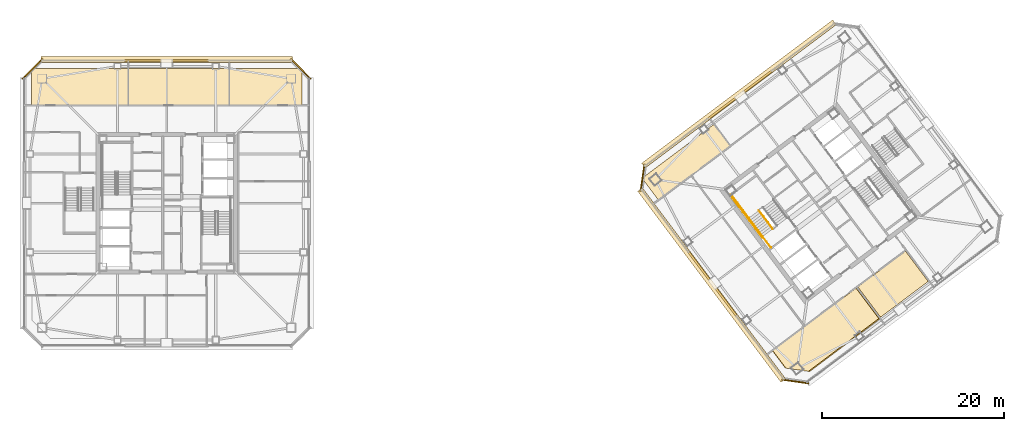
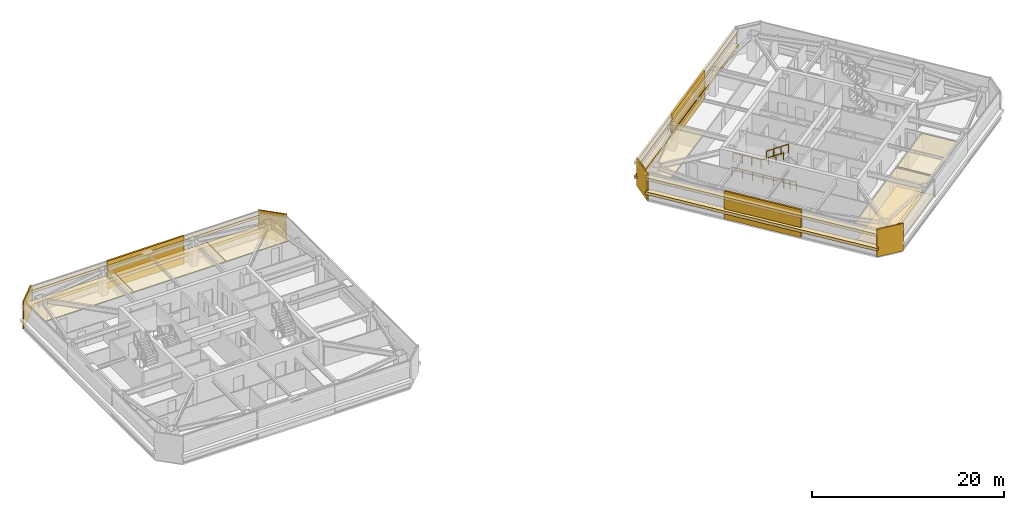
# One storey, part 36 of 39: 20 coverings, 5 railings.
"""IFC4 building model written with IfcOpenShell, lengths in metres."""

from ifc_helpers import new_model, si_unit, direction, frame, origin, origin_2d, place, context, subcontext, project, spatial, polyline, rectangle, outline, extrude, material, layer, layer_set, type_object, element, save


model = new_model("IFC4")

# Units and contexts
model_context = context("Model", 3, precision=1e-05, world=origin(), true_north=direction((0.0, 1.0)))
body_context = subcontext(model_context, "Body", "Model", "MODEL_VIEW")
ifc_project = project(units=[si_unit("LENGTHUNIT", "METRE"), si_unit("AREAUNIT", "SQUARE_METRE"), si_unit("VOLUMEUNIT", "CUBIC_METRE"), si_unit("PLANEANGLEUNIT", "RADIAN"), si_unit("MASSUNIT", "GRAM", prefix="KILO")], contexts=[model_context])

# Site, building, storey
site_placement = place(None, origin())
site = spatial("IfcSite", under=ifc_project, at=site_placement, CompositionType="ELEMENT")
building_placement = place(site_placement, origin())
building = spatial("IfcBuilding", under=site, at=building_placement, Name="Tashvorn Skyway Center", CompositionType="ELEMENT")
storey_placement = place(building_placement, frame((0.0, 0.0, 243.25)))
storey = spatial("IfcBuildingStorey", under=building, at=storey_placement, Name="L66", CompositionType="ELEMENT", Elevation=243.25)

# Coverings
ifc_material_1 = material(Name="Precast concrete C40/50", Category="concrete")
ifc_layer_1 = layer(ifc_material_1, 0.199951171875)
ifc_layer_set_1 = layer_set([ifc_layer_1], Name="Precast concrete C40/50")
covering_type_1 = type_object("IfcCoveringType", Name="COV-BRACE-CLAD", PredefinedType="CLADDING", material=ifc_layer_set_1)
covering_1_placement = place(storey_placement, frame((42.0, 47.679931640625, 0.0), z_axis=(0.0, 0.0, 1.0), x_axis=(1.0, 0.0, 0.0)))
element("IfcCovering", 1, at=covering_1_placement, inside=storey, type_object=covering_type_1, Name="Tower 1 L66 North Unitised Curtain Wall Mega-Brace Cladding Band 1", PredefinedType="CLADDING", context=body_context, shape_type="SweptSolid", body=[
    extrude(rectangle(XDim=9.1865234375, YDim=0.199951171875, at=origin_2d()), origin(), (0.0, 0.0, 1.0), 3.550048828125),
])
for number, where, z_axis, x_axis, name in (
    (2, (102.095947265625, 23.072021484375, 0.0), (0.0, 0.0, 1.0), (-0.600000004945, 0.799999996291, 0.0), "Tower 2 L66 West Unitised Curtain Wall Mega-Brace Cladding Band 1"),
    (3, (105.072021484375, 43.904052734375, 0.0), (0.0, 0.0, 1.0), (0.799999996291, 0.600000004945, 0.0), "Tower 2 L66 North Unitised Curtain Wall Mega-Brace Cladding Band 1"),
):
    element("IfcCovering", number, at=place(storey_placement, frame(where, z_axis=z_axis, x_axis=x_axis)), inside=storey, type_object=covering_type_1, Name=name, PredefinedType="CLADDING", context=body_context, shape_type="SweptSolid", body=[
        extrude(rectangle(XDim=8.719970703125, YDim=0.199951171875, at=origin_2d()), origin(), (0.0, 0.0, 1.0), 3.550048828125),
    ])
ifc_material_2 = material(Name="Mineral-fibre acoustic ceiling tile on suspended grid")
ifc_layer_2 = layer(ifc_material_2, 0.02001953125)
ifc_layer_set_2 = layer_set([ifc_layer_2], Name="Mineral-fibre acoustic ceiling tile on suspended grid")
covering_type_2 = type_object("IfcCoveringType", Name="COV-CEIL-20", PredefinedType="CEILING", material=ifc_layer_set_2)
covering_2_placement = place(storey_placement, frame((0.0, 0.0, 2.373046875)))
element("IfcCovering", 4, at=covering_2_placement, inside=storey, type_object=covering_type_2, Name="Tower 1 L66 Operations Control Room Acoustic Ceiling", PredefinedType="CEILING", context=body_context, shape_type="SweptSolid", body=[
    extrude(outline(polyline([(27.10009765625, 42.77001953125), (37.800048828125, 42.77001953125), (37.800048828125, 46.800048828125), (27.10009765625, 46.800048828125), (27.10009765625, 42.77001953125)])), origin(), (0.0, 0.0, 1.0), 0.02001953125),
])
covering_3_placement = place(storey_placement, frame((0.0, 0.0, 2.373046875)))
element("IfcCovering", 5, at=covering_3_placement, inside=storey, type_object=covering_type_2, Name="Tower 1 L66 Operations Control Room Acoustic Ceiling", PredefinedType="CEILING", context=body_context, shape_type="SweptSolid", body=[
    extrude(outline(polyline([(37.800048828125, 42.77001953125), (48.89990234375, 42.77001953125), (48.89990234375, 46.800048828125), (37.800048828125, 46.800048828125), (37.800048828125, 42.77001953125)])), origin(), (0.0, 0.0, 1.0), 0.02001953125),
])
covering_4_placement = place(storey_placement, frame((0.0, 0.0, 2.373046875)))
element("IfcCovering", 6, at=covering_4_placement, inside=storey, type_object=covering_type_2, Name="Tower 1 L66 Catering Pantry Acoustic Ceiling", PredefinedType="CEILING", context=body_context, shape_type="SweptSolid", body=[
    extrude(outline(polyline([(48.89990234375, 42.77001953125), (56.89990234375, 42.77001953125), (56.89990234375, 46.800048828125), (48.89990234375, 46.800048828125), (48.89990234375, 42.77001953125)])), origin(), (0.0, 0.0, 1.0), 0.02001953125),
])
covering_5_placement = place(storey_placement, frame((0.0, 0.0, 2.373046875)))
element("IfcCovering", 7, at=covering_5_placement, inside=storey, type_object=covering_type_2, Name="Tower 2 L66 Operations Control Room Acoustic Ceiling", PredefinedType="CEILING", context=body_context, shape_type="SweptSolid", body=[
    extrude(outline(polyline([(96.1201171875, 32.340087890625), (104.0400390625, 38.280029296875), (102.239990234375, 40.679931640625), (94.320068359375, 34.739990234375), (96.1201171875, 32.340087890625)])), origin(), (0.0, 0.0, 1.0), 0.02001953125),
])
covering_6_placement = place(storey_placement, frame((0.0, 0.0, 2.373046875)))
element("IfcCovering", 8, at=covering_6_placement, inside=storey, type_object=covering_type_2, Name="Tower 2 L66 Operations Control Room Acoustic Ceiling", PredefinedType="CEILING", context=body_context, shape_type="SweptSolid", body=[
    extrude(outline(polyline([(108.701904296875, 15.763916015625), (117.8701171875, 22.639892578125), (120.3720703125, 19.303955078125), (112.612060546875, 13.48388671875), (110.14794921875, 13.8359375), (108.701904296875, 15.763916015625)])), origin(), (0.0, 0.0, 1.0), 0.02001953125),
])
covering_7_placement = place(storey_placement, frame((0.0, 0.0, 2.373046875)))
element("IfcCovering", 9, at=covering_7_placement, inside=storey, type_object=covering_type_2, Name="Tower 2 L66 Security Control Room Acoustic Ceiling", PredefinedType="CEILING", context=body_context, shape_type="SweptSolid", body=[
    extrude(outline(polyline([(118.06201171875, 22.783935546875), (123.31005859375, 26.719970703125), (125.81201171875, 23.384033203125), (120.56396484375, 19.447998046875), (118.06201171875, 22.783935546875)])), origin(), (0.0, 0.0, 1.0), 0.02001953125),
])
ifc_material_3 = material(Name="Polished Mojave desert-aggregate terrazzo and cover plate")
ifc_layer_3 = layer(ifc_material_3, 0.0400390625)
ifc_layer_set_3 = layer_set([ifc_layer_3], Name="Polished Mojave desert-aggregate terrazzo and cover plate")
covering_type_3 = type_object("IfcCoveringType", Name="COV-FLR-40", PredefinedType="FLOORING", material=ifc_layer_set_3)
covering_8_placement = place(storey_placement, origin())
element("IfcCovering", 10, at=covering_8_placement, inside=storey, type_object=covering_type_3, Name="Tower 2 L66 Operations Control Room Finish Flooring", PredefinedType="FLOORING", context=body_context, shape_type="SweptSolid", body=[
    extrude(outline(polyline([(112.780029296875, 13.4599609375), (110.092041015625, 13.843994140625), (108.694091796875, 15.7080078125), (117.926025390625, 22.632080078125), (120.47607421875, 19.23193359375), (112.780029296875, 13.4599609375)])), origin(), (0.0, 0.0, 1.0), 0.0400390625),
])
ifc_material_4 = material(Name="Perforated ceramic-coated bronze aluminium solar screen", Category="aluminium")
ifc_layer_4 = layer(ifc_material_4, 0.85009765625)
ifc_layer_set_4 = layer_set([ifc_layer_4], Name="Perforated ceramic-coated bronze aluminium solar screen")
covering_type_4 = type_object("IfcCoveringType", Name="COV-SOLAR-BAND", PredefinedType="CLADDING", material=ifc_layer_set_4)
for number, where, z_axis, x_axis, name in (
    (11, (42.0, 47.820068359375, 0.919921875), (0.0, 0.0, 1.0), (1.0, 0.0, 0.0), "L66 Perforated Ceramic-Metal Solar Screen Louvre Band North 1"),
    (12, (42.0, 47.820068359375, 2.7197265625), (0.0, 0.0, 1.0), (1.0, 0.0, 0.0), "L66 Perforated Ceramic-Metal Solar Screen Louvre Band North 2"),
):
    element("IfcCovering", number, at=place(storey_placement, frame(where, z_axis=z_axis, x_axis=x_axis)), inside=storey, type_object=covering_type_4, Name=name, PredefinedType="CLADDING", context=body_context, shape_type="SweptSolid", body=[
        extrude(rectangle(XDim=27.679931640625, YDim=0.639892578125, at=origin_2d()), origin(), (0.0, 0.0, 1.0), 0.360107421875),
    ])
for number, where, z_axis, x_axis, name in (
    (13, (101.98388671875, 22.988037109375, 0.919921875), (0.0, 0.0, 1.0), (-0.600000004945, 0.799999996291, 0.0), "L66 Perforated Ceramic-Metal Solar Screen Louvre Band West 1"),
    (14, (101.98388671875, 22.988037109375, 2.7197265625), (0.0, 0.0, 1.0), (-0.600000004945, 0.799999996291, 0.0), "L66 Perforated Ceramic-Metal Solar Screen Louvre Band West 2"),
    (15, (104.988037109375, 44.01611328125, 0.919921875), (0.0, 0.0, 1.0), (0.799999996291, 0.600000004945, 0.0), "L66 Perforated Ceramic-Metal Solar Screen Louvre Band North 1"),
    (16, (104.988037109375, 44.01611328125, 2.7197265625), (0.0, 0.0, 1.0), (0.799999996291, 0.600000004945, 0.0), "L66 Perforated Ceramic-Metal Solar Screen Louvre Band North 2"),
):
    element("IfcCovering", number, at=place(storey_placement, frame(where, z_axis=z_axis, x_axis=x_axis)), inside=storey, type_object=covering_type_4, Name=name, PredefinedType="CLADDING", context=body_context, shape_type="SweptSolid", body=[
        extrude(rectangle(XDim=26.280029296875, YDim=0.639892578125, at=origin_2d()), origin(), (0.0, 0.0, 1.0), 0.360107421875),
    ])
ifc_layer_5 = layer(ifc_material_1, 0.35009765625)
ifc_layer_set_5 = layer_set([ifc_layer_5], Name="Precast concrete C40/50")
covering_type_5 = type_object("IfcCoveringType", Name="COV-STONE-TRIM", PredefinedType="CLADDING", material=ifc_layer_set_5)
for number, where, z_axis, x_axis, name in (
    (17, (27.22998046875, 46.77001953125, 0.02001953125), (0.0, 0.0, 1.0), (-0.707106781187, -0.707106781187, 0.0), "Tower 1 L66 NW Mojave Limestone Corner Quoin"),
    (18, (56.77001953125, 46.77001953125, 0.02001953125), (0.0, 0.0, 1.0), (0.707106781187, -0.707106781187, 0.0), "Tower 1 L66 NE Mojave Limestone Corner Quoin"),
):
    element("IfcCovering", number, at=place(storey_placement, frame(where, z_axis=z_axis, x_axis=x_axis)), inside=storey, type_object=covering_type_5, Name=name, PredefinedType="CLADDING", context=body_context, shape_type="SweptSolid", body=[
        extrude(rectangle(XDim=3.1298828125, YDim=0.139892578125, at=origin_2d()), origin(), (0.0, 0.0, 1.0), 3.510009765625),
    ])
for number, where, z_axis, x_axis, name in (
    (19, (111.196044921875, 12.3720703125, 0.02001953125), (0.0, 0.0, 1.0), (-0.989949494535, 0.141421350118, 0.0), "Tower 2 L66 SW Mojave Limestone Corner Quoin"),
    (20, (94.3720703125, 34.803955078125, 0.02001953125), (0.0, 0.0, 1.0), (-0.141421350118, -0.989949494535, 0.0), "Tower 2 L66 NW Mojave Limestone Corner Quoin"),
):
    element("IfcCovering", number, at=place(storey_placement, frame(where, z_axis=z_axis, x_axis=x_axis)), inside=storey, type_object=covering_type_5, Name=name, PredefinedType="CLADDING", context=body_context, shape_type="SweptSolid", body=[
        extrude(rectangle(XDim=2.98828125, YDim=0.139892578125, at=origin_2d()), origin(), (0.0, 0.0, 1.0), 3.510009765625),
    ])

# Railings
ifc_material_5 = material(Name="Brushed stainless steel 316", Category="steel")
railing_type_1 = type_object("IfcRailingType", Name="RAIL-HAND-920", PredefinedType="HANDRAIL", material=ifc_material_5)
railing_1_placement = place(storey_placement, frame((106.072021484375, 30.35400390625, 1.952392578125)))
element("IfcRailing", 21, at=railing_1_placement, inside=storey, type_object=railing_type_1, Name="L66 ST-T2-1 stair handrail 2", PredefinedType="HANDRAIL", context=body_context, shape_type="SweptSolid", body=[
    extrude(rectangle(XDim=0.048095703125, YDim=0.048095703125, at=origin_2d()), frame((0.0, 0.0, 0.8759765625), z_axis=(0.506718600913, -0.675679348675, 0.535437836974), x_axis=(0.800023250257, 0.599968998406, 0.0)), (0.0, 0.0, 1.0), 2.98388671875),
    extrude(rectangle(XDim=0.0419921875, YDim=0.0419921875, at=origin_2d()), origin(), (0.0, 0.0, 1.0), 0.851806640625),
    extrude(rectangle(XDim=0.0419921875, YDim=0.0419921875, at=origin_2d()), frame((0.50390625, -0.672119140625, 0.532470703125)), (0.0, 0.0, 1.0), 0.851806640625),
    extrude(rectangle(XDim=0.0419921875, YDim=0.0419921875, at=origin_2d()), frame((1.008056640625, -1.343994140625, 1.065185546875)), (0.0, 0.0, 1.0), 0.851806640625),
    extrude(rectangle(XDim=0.0419921875, YDim=0.0419921875, at=origin_2d()), frame((1.511962890625, -2.01611328125, 1.59765625)), (0.0, 0.0, 1.0), 0.851806640625),
])
ifc_material_6 = material(Name="Painted galvanized steel S355", Category="steel")
railing_type_2 = type_object("IfcRailingType", Name="RAIL-STGUARD-1100", PredefinedType="GUARDRAIL", material=ifc_material_6)
railing_2_placement = place(storey_placement, frame((106.072021484375, 30.35400390625, 1.77490234375)))
element("IfcRailing", 22, at=railing_2_placement, inside=storey, type_object=railing_type_2, Name="L66 ST-T2-1 stair guard 3", PredefinedType="GUARDRAIL", context=body_context, shape_type="SweptSolid", body=[
    extrude(rectangle(XDim=0.048095703125, YDim=0.048095703125, at=origin_2d()), frame((0.0, 0.0, 1.076171875), z_axis=(-0.599987638607, 0.800009270896, 0.0), x_axis=(-0.800009270896, -0.599987638607, 0.0)), (0.0, 0.0, 1.0), 3.16015625),
    extrude(rectangle(XDim=0.0419921875, YDim=0.0419921875, at=origin_2d()), origin(), (0.0, 0.0, 1.0), 1.052001953125),
    extrude(rectangle(XDim=0.0419921875, YDim=0.0419921875, at=origin_2d()), frame((-0.632080078125, 0.8427734375, 0.0)), (0.0, 0.0, 1.0), 1.052001953125),
    extrude(rectangle(XDim=0.0419921875, YDim=0.0419921875, at=origin_2d()), frame((-1.263916015625, 1.685302734375, 0.0)), (0.0, 0.0, 1.0), 1.052001953125),
    extrude(rectangle(XDim=0.0419921875, YDim=0.0419921875, at=origin_2d()), frame((-1.89599609375, 2.528076171875, 0.0)), (0.0, 0.0, 1.0), 1.052001953125),
])
railing_3_placement = place(storey_placement, frame((107.19189453125, 31.194091796875, 1.952392578125)))
element("IfcRailing", 23, at=railing_3_placement, inside=storey, type_object=railing_type_2, Name="L66 ST-T2-1 stair guard 4", PredefinedType="GUARDRAIL", context=body_context, shape_type="SweptSolid", body=[
    extrude(rectangle(XDim=0.048095703125, YDim=0.048095703125, at=origin_2d()), frame((0.0, 0.0, 1.076171875), z_axis=(0.506779409603, -0.675651334276, 0.53541563714), x_axis=(0.799976749893, 0.600030998891, 0.0)), (0.0, 0.0, 1.0), 2.98388671875),
    extrude(rectangle(XDim=0.0419921875, YDim=0.0419921875, at=origin_2d()), origin(), (0.0, 0.0, 1.0), 1.052001953125),
    extrude(rectangle(XDim=0.0419921875, YDim=0.0419921875, at=origin_2d()), frame((0.504150390625, -0.672119140625, 0.532470703125)), (0.0, 0.0, 1.0), 1.052001953125),
    extrude(rectangle(XDim=0.0419921875, YDim=0.0419921875, at=origin_2d()), frame((1.008056640625, -1.343994140625, 1.065185546875)), (0.0, 0.0, 1.0), 1.052001953125),
    extrude(rectangle(XDim=0.0419921875, YDim=0.0419921875, at=origin_2d()), frame((1.51220703125, -2.01611328125, 1.59765625)), (0.0, 0.0, 1.0), 1.052001953125),
])
railing_4_placement = place(storey_placement, frame((108.49609375, 27.1220703125, 0.0)))
element("IfcRailing", 24, at=railing_4_placement, inside=storey, type_object=railing_type_2, Name="L66 ST-T2-1 stair guard 6", PredefinedType="GUARDRAIL", context=body_context, shape_type="SweptSolid", body=[
    extrude(rectangle(XDim=0.048095703125, YDim=0.048095703125, at=origin_2d()), frame((0.0, 0.0, 1.076171875), z_axis=(-0.600102796382, 0.799922892393, 0.0), x_axis=(-0.799922892393, -0.600102796382, 0.0)), (0.0, 0.0, 1.0), 1.52001953125),
    extrude(rectangle(XDim=0.0419921875, YDim=0.0419921875, at=origin_2d()), origin(), (0.0, 0.0, 1.0), 1.052001953125),
    extrude(rectangle(XDim=0.0419921875, YDim=0.0419921875, at=origin_2d()), frame((-0.4560546875, 0.60791015625, 0.0)), (0.0, 0.0, 1.0), 1.052001953125),
    extrude(rectangle(XDim=0.0419921875, YDim=0.0419921875, at=origin_2d()), frame((-0.912109375, 1.2158203125, 0.0)), (0.0, 0.0, 1.0), 1.052001953125),
])
railing_5_placement = place(storey_placement, frame((107.56396484375, 28.197998046875, 0.0)))
element("IfcRailing", 25, at=railing_5_placement, inside=storey, type_object=railing_type_2, Name="L66 ST-T2-1 stair guard 7", PredefinedType="GUARDRAIL", context=body_context, shape_type="SweptSolid", body=[
    extrude(rectangle(XDim=0.048095703125, YDim=0.048095703125, at=origin_2d()), frame((0.0, 0.0, 1.076171875), z_axis=(-0.6, 0.8, 0.0), x_axis=(-0.8, -0.6, 0.0)), (0.0, 0.0, 1.0), 5.880126953125),
    extrude(rectangle(XDim=0.0419921875, YDim=0.0419921875, at=origin_2d()), origin(), (0.0, 0.0, 1.0), 1.052001953125),
    extrude(rectangle(XDim=0.0419921875, YDim=0.0419921875, at=origin_2d()), frame((-0.70556640625, 0.94091796875, 0.0)), (0.0, 0.0, 1.0), 1.052001953125),
    extrude(rectangle(XDim=0.0419921875, YDim=0.0419921875, at=origin_2d()), frame((-1.4111328125, 1.881591796875, 0.0)), (0.0, 0.0, 1.0), 1.052001953125),
    extrude(rectangle(XDim=0.0419921875, YDim=0.0419921875, at=origin_2d()), frame((-2.116943359375, 2.822509765625, 0.0)), (0.0, 0.0, 1.0), 1.052001953125),
    extrude(rectangle(XDim=0.0419921875, YDim=0.0419921875, at=origin_2d()), frame((-2.822509765625, 3.76318359375, 0.0)), (0.0, 0.0, 1.0), 1.052001953125),
    extrude(rectangle(XDim=0.0419921875, YDim=0.0419921875, at=origin_2d()), frame((-3.528076171875, 4.7041015625, 0.0)), (0.0, 0.0, 1.0), 1.052001953125),
])

save(model, "model.ifc")
